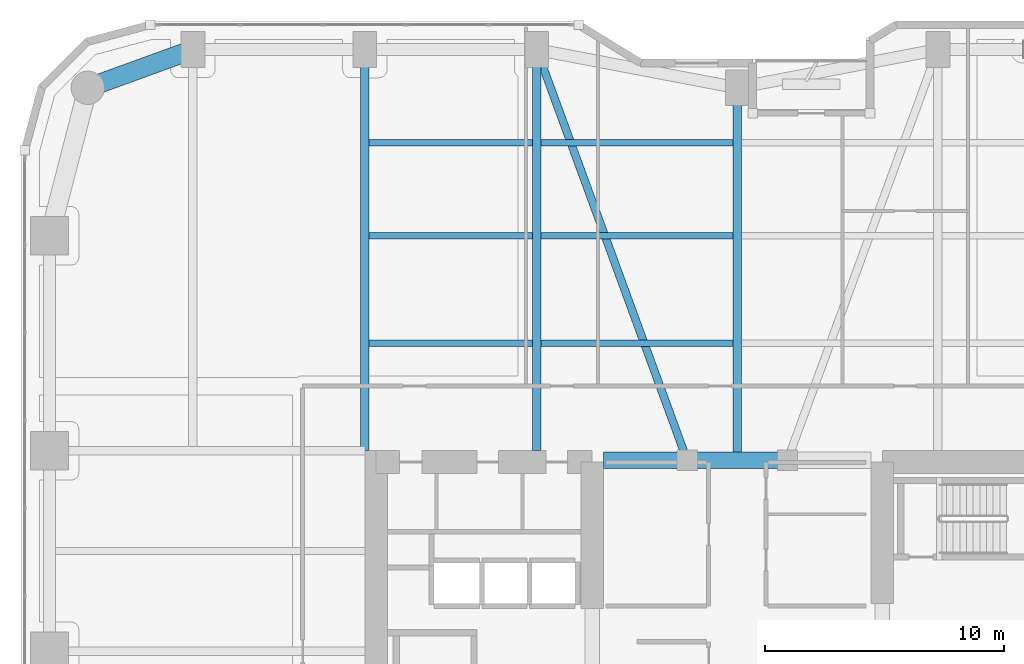
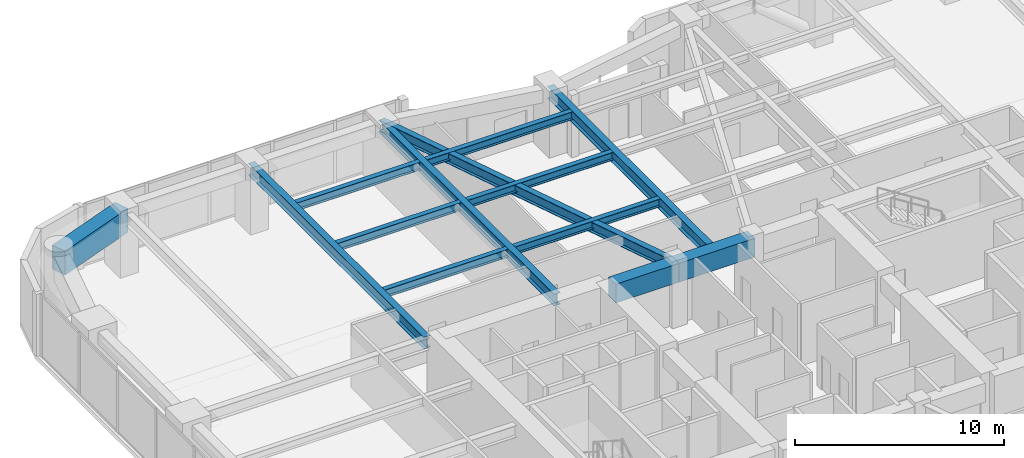
# One storey, part 15 of 29: 13 beams.
"""IFC4 building model written with IfcOpenShell, lengths in metres."""

from ifc_helpers import new_model, si_unit, direction, frame, origin, origin_2d, place, context, subcontext, project, spatial, rectangle, i_section, extrude, material, material_profile, profile_set, type_object, element, save


model = new_model("IFC4")

# Units and contexts
model_context = context("Model", 3, precision=1e-05, world=origin(), true_north=direction((0.0, 1.0)))
body_context = subcontext(model_context, "Body", "Model", "MODEL_VIEW")
ifc_project = project(units=[si_unit("LENGTHUNIT", "METRE"), si_unit("AREAUNIT", "SQUARE_METRE"), si_unit("VOLUMEUNIT", "CUBIC_METRE"), si_unit("PLANEANGLEUNIT", "RADIAN"), si_unit("MASSUNIT", "GRAM", prefix="KILO")], contexts=[model_context])

# Site, building, storey
site_placement = place(None, origin())
site = spatial("IfcSite", under=ifc_project, at=site_placement, CompositionType="ELEMENT")
building_placement = place(site_placement, origin())
building = spatial("IfcBuilding", under=site, at=building_placement, Name="Kiyonajd Concourse Tower", CompositionType="ELEMENT")
storey_placement = place(building_placement, frame((0.0, 0.0, 48.89990234375)))
storey = spatial("IfcBuildingStorey", under=building, at=storey_placement, Name="L13", CompositionType="ELEMENT", Elevation=48.89990234375)

# Beams
ifc_material_1 = material(Name="Concrete C70/85", Category="concrete")
ifc_material_profile_1 = material_profile(ifc_material_1, rectangle(XDim=0.699951171875, YDim=1.10009765625, at=origin_2d()), Name="RCBM-700x1100")
ifc_profile_set_1 = profile_set([ifc_material_profile_1], Name="Concrete C70/85")
beam_type_1 = type_object("IfcBeamType", Name="BM-COUP-1100", PredefinedType="LINTEL", material=ifc_profile_set_1)
beam_1_placement = place(storey_placement, frame((42.39990234375, 44.0, 3.090087890625), z_axis=(1.0, 0.0, 0.0), x_axis=(0.0, 1.0, 0.0)))
element("IfcBeam", 1, at=beam_1_placement, inside=storey, type_object=beam_type_1, Name="L13 Core Coupling Beam N1", PredefinedType="LINTEL", context=body_context, shape_type="SweptSolid", body=[
    extrude(rectangle(XDim=0.699951171875, YDim=1.10009765625, at=origin_2d()), origin(), (0.0, 0.0, 1.0), 3.5),
])
beam_2_placement = place(storey_placement, frame((45.89990234375, 44.0, 3.090087890625), z_axis=(1.0, 0.0, 0.0), x_axis=(0.0, 1.0, 0.0)))
element("IfcBeam", 2, at=beam_2_placement, inside=storey, type_object=beam_type_1, Name="L13 Core Coupling Beam N2", PredefinedType="LINTEL", context=body_context, shape_type="SweptSolid", body=[
    extrude(rectangle(XDim=0.699951171875, YDim=1.10009765625, at=origin_2d()), origin(), (0.0, 0.0, 1.0), 4.2001953125),
])
ifc_material_2 = material(Name="Steel ASTM A992 Grade 50", Category="steel")
ifc_material_profile_2 = material_profile(ifc_material_2, i_section(OverallWidth=0.280029296875, OverallDepth=0.462890625, WebThickness=0.0107421875, FlangeThickness=0.017333984375, at=origin_2d()), Name="W460X113")
ifc_profile_set_2 = profile_set([ifc_material_profile_2], Name="Steel ASTM A992 Grade 50")
beam_type_2 = type_object("IfcBeamType", Name="BM-JST-460A", PredefinedType="JOIST", material=ifc_profile_set_2)
beam_3_placement = place(storey_placement, frame((32.577392578125, 48.89990234375, 3.40869140625), z_axis=(1.0, 0.0, 0.0), x_axis=(0.0, 1.0, 0.0)))
element("IfcBeam", 3, at=beam_3_placement, inside=storey, type_object=beam_type_2, Name="L13 Secondary Floor Joist", PredefinedType="JOIST", context=body_context, shape_type="SweptSolid", body=[
    extrude(i_section(OverallWidth=0.280029296875, OverallDepth=0.462890625, WebThickness=0.0107421875, FlangeThickness=0.017333984375, at=origin_2d()), origin(), (0.0, 0.0, 1.0), 6.84521484375),
])
beam_4_placement = place(storey_placement, frame((39.777587890625, 48.89990234375, 3.40869140625), z_axis=(1.0, 0.0, 0.0), x_axis=(0.0, 1.0, 0.0)))
element("IfcBeam", 4, at=beam_4_placement, inside=storey, type_object=beam_type_2, Name="L13 Secondary Floor Joist", PredefinedType="JOIST", context=body_context, shape_type="SweptSolid", body=[
    extrude(i_section(OverallWidth=0.280029296875, OverallDepth=0.462890625, WebThickness=0.0107421875, FlangeThickness=0.017333984375, at=origin_2d()), origin(), (0.0, 0.0, 1.0), 8.044921875),
])
beam_5_placement = place(storey_placement, frame((32.577392578125, 53.39990234375, 3.40869140625), z_axis=(1.0, 0.0, 0.0), x_axis=(0.0, 1.0, 0.0)))
element("IfcBeam", 5, at=beam_5_placement, inside=storey, type_object=beam_type_2, Name="L13 Secondary Floor Joist", PredefinedType="JOIST", context=body_context, shape_type="SweptSolid", body=[
    extrude(i_section(OverallWidth=0.280029296875, OverallDepth=0.462890625, WebThickness=0.0107421875, FlangeThickness=0.017333984375, at=origin_2d()), origin(), (0.0, 0.0, 1.0), 6.84521484375),
])
beam_6_placement = place(storey_placement, frame((39.777587890625, 53.39990234375, 3.40869140625), z_axis=(1.0, 0.0, 0.0), x_axis=(0.0, 1.0, 0.0)))
element("IfcBeam", 6, at=beam_6_placement, inside=storey, type_object=beam_type_2, Name="L13 Secondary Floor Joist", PredefinedType="JOIST", context=body_context, shape_type="SweptSolid", body=[
    extrude(i_section(OverallWidth=0.280029296875, OverallDepth=0.462890625, WebThickness=0.0107421875, FlangeThickness=0.017333984375, at=origin_2d()), origin(), (0.0, 0.0, 1.0), 8.044921875),
])
beam_7_placement = place(storey_placement, frame((32.577392578125, 57.300048828125, 3.40869140625), z_axis=(1.0, 0.0, 0.0), x_axis=(0.0, 1.0, 0.0)))
element("IfcBeam", 7, at=beam_7_placement, inside=storey, type_object=beam_type_2, Name="L13 Secondary Floor Joist", PredefinedType="JOIST", context=body_context, shape_type="SweptSolid", body=[
    extrude(i_section(OverallWidth=0.280029296875, OverallDepth=0.462890625, WebThickness=0.0107421875, FlangeThickness=0.017333984375, at=origin_2d()), origin(), (0.0, 0.0, 1.0), 6.84521484375),
])
beam_8_placement = place(storey_placement, frame((39.777587890625, 57.300048828125, 3.40869140625), z_axis=(1.0, 0.0, 0.0), x_axis=(0.0, 1.0, 0.0)))
element("IfcBeam", 8, at=beam_8_placement, inside=storey, type_object=beam_type_2, Name="L13 Secondary Floor Joist", PredefinedType="JOIST", context=body_context, shape_type="SweptSolid", body=[
    extrude(i_section(OverallWidth=0.280029296875, OverallDepth=0.462890625, WebThickness=0.0107421875, FlangeThickness=0.017333984375, at=origin_2d()), origin(), (0.0, 0.0, 1.0), 8.044921875),
])
ifc_material_profile_3 = material_profile(ifc_material_2, i_section(OverallWidth=0.326904296875, OverallDepth=0.6220703125, WebThickness=0.015380859375, FlangeThickness=0.0244140625, at=origin_2d()), Name="W610X195")
ifc_profile_set_3 = profile_set([ifc_material_profile_3], Name="Steel ASTM A992 Grade 50")
beam_type_3 = type_object("IfcBeamType", Name="BM-TWR-610A", PredefinedType="BEAM", material=ifc_profile_set_3)
beam_9_placement = place(storey_placement, frame((39.60009765625, 61.199951171875, 3.3291015625), z_axis=(0.343925269715, -0.938997022813, 0.0), x_axis=(0.938997022813, 0.343925269715, 0.0)))
element("IfcBeam", 9, at=beam_9_placement, inside=storey, type_object=beam_type_3, Name="L13 Core Tie Girder", PredefinedType="BEAM", context=body_context, shape_type="SweptSolid", body=[
    extrude(i_section(OverallWidth=0.326904296875, OverallDepth=0.6220703125, WebThickness=0.015380859375, FlangeThickness=0.0244140625, at=origin_2d()), origin(), (0.0, 0.0, 1.0), 18.3173828125),
])
ifc_material_profile_4 = material_profile(ifc_material_2, i_section(OverallWidth=0.35498046875, OverallDepth=0.695068359375, WebThickness=0.015380859375, FlangeThickness=0.02490234375, at=origin_2d()), Name="W690X217")
ifc_profile_set_4 = profile_set([ifc_material_profile_4], Name="Steel ASTM A992 Grade 50")
beam_type_4 = type_object("IfcBeamType", Name="BM-TWR-690", PredefinedType="BEAM", material=ifc_profile_set_4)
for number, where, z_axis, x_axis, name in (
    (10, (32.39990234375, 44.39990234375, 3.29248046875), (0.0, 1.0, 0.0), (-1.0, 0.0, 0.0), "L13 North Lease Girder"),
    (11, (39.60009765625, 44.39990234375, 3.29248046875), (0.0, 1.0, 0.0), (-1.0, 0.0, 0.0), "L13 North Lease Girder"),
):
    element("IfcBeam", number, at=place(storey_placement, frame(where, z_axis=z_axis, x_axis=x_axis)), inside=storey, type_object=beam_type_4, Name=name, PredefinedType="BEAM", context=body_context, shape_type="SweptSolid", body=[
        extrude(i_section(OverallWidth=0.35498046875, OverallDepth=0.695068359375, WebThickness=0.015380859375, FlangeThickness=0.02490234375, at=origin_2d()), origin(), (0.0, 0.0, 1.0), 16.800048828125),
    ])
beam_10_placement = place(storey_placement, frame((48.0, 44.0, 3.29248046875), z_axis=(0.0, 1.0, 0.0), x_axis=(-1.0, 0.0, 0.0)))
element("IfcBeam", 12, at=beam_10_placement, inside=storey, type_object=beam_type_4, Name="L13 North Ribbon Girder", PredefinedType="BEAM", context=body_context, shape_type="SweptSolid", body=[
    extrude(i_section(OverallWidth=0.35498046875, OverallDepth=0.695068359375, WebThickness=0.015380859375, FlangeThickness=0.02490234375, at=origin_2d()), origin(), (0.0, 0.0, 1.0), 15.60009765625),
])
ifc_material_3 = material(Name="Concrete C60/75", Category="concrete")
ifc_material_profile_5 = material_profile(ifc_material_3, rectangle(XDim=0.800048828125, YDim=1.39990234375, at=origin_2d()), Name="RCBM-800x1400")
ifc_profile_set_5 = profile_set([ifc_material_profile_5], Name="Concrete C60/75")
beam_type_5 = type_object("IfcBeamType", Name="BM-XFER-RC", PredefinedType="BEAM", material=ifc_profile_set_5)
beam_11_placement = place(storey_placement, frame((25.199951171875, 61.199951171875, 2.940185546875), z_axis=(-0.939801036019, -0.341722127901, 0.0), x_axis=(0.341722127901, -0.939801036019, 0.0)))
element("IfcBeam", 13, at=beam_11_placement, inside=storey, type_object=beam_type_5, Name="L13 Perimeter Bundled Tube Spandrel", PredefinedType="BEAM", context=body_context, shape_type="SweptSolid", body=[
    extrude(rectangle(XDim=0.800048828125, YDim=1.39990234375, at=origin_2d()), origin(), (0.0, 0.0, 1.0), 4.681640625),
])

save(model, "model.ifc")
